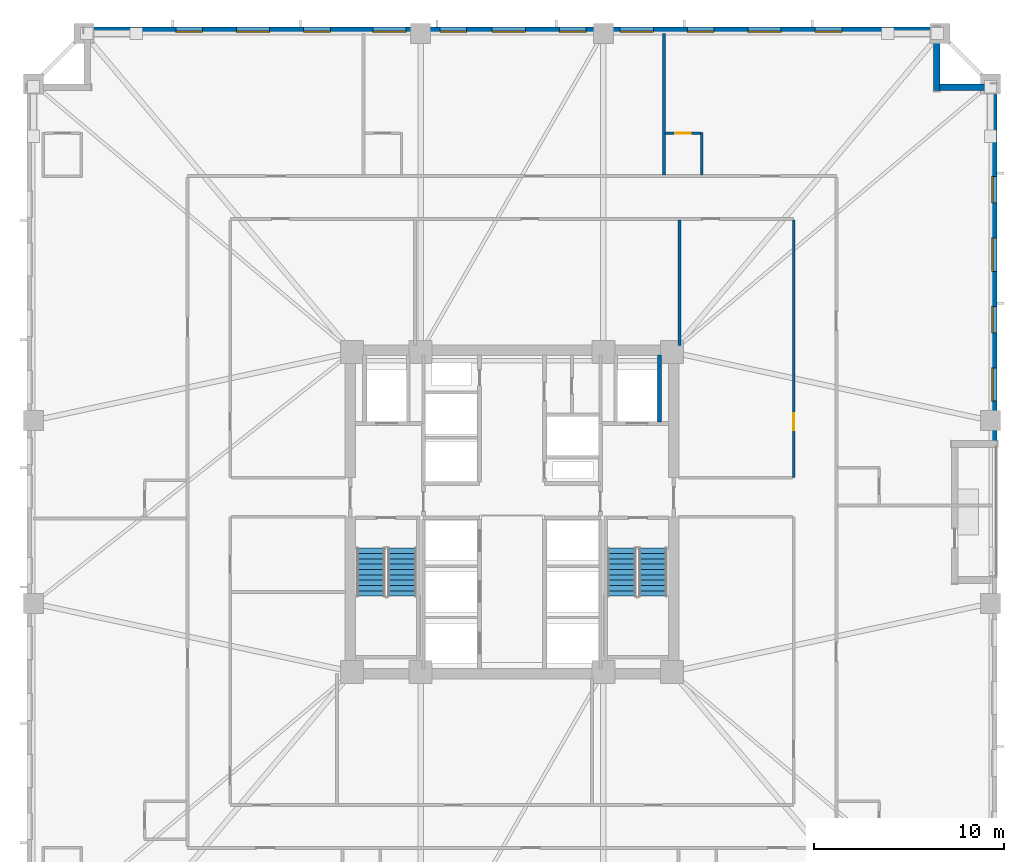
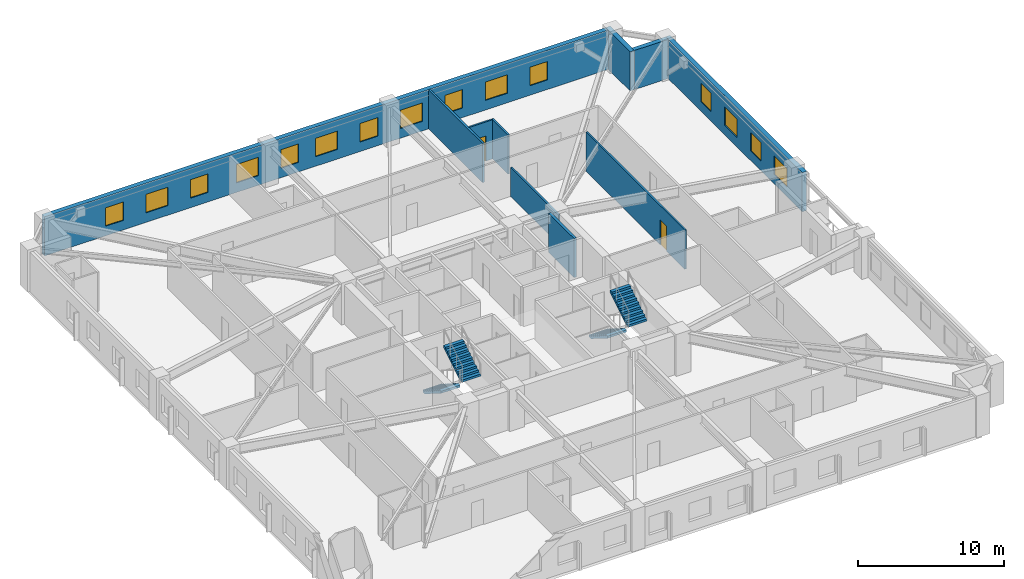
# One storey, part 6 of 11: 15 windows, 10 walls, 4 stair flights, 2 doors, 17 openings, 2 elements without a shape of their own.
"""IFC4 building model written with IfcOpenShell, lengths in metres."""

from ifc_helpers import new_model, si_unit, direction, frame, frame_2d, origin, place, context, subcontext, project, spatial, polyline, rectangle, outline, extrude, material, layer, layer_set, type_object, element, fill, aggregate, save


model = new_model("IFC4")

# Units and contexts
model_context = context("Model", 3, precision=1e-05, world=origin(), true_north=direction((0.0, 1.0)))
body_context = subcontext(model_context, "Body", "Model", "MODEL_VIEW")
ifc_project = project(units=[si_unit("LENGTHUNIT", "METRE"), si_unit("AREAUNIT", "SQUARE_METRE"), si_unit("VOLUMEUNIT", "CUBIC_METRE"), si_unit("PLANEANGLEUNIT", "RADIAN"), si_unit("MASSUNIT", "GRAM", prefix="KILO")], contexts=[model_context])

# Site, building, storey
site_placement = place(None, origin())
site = spatial("IfcSite", under=ifc_project, at=site_placement, CompositionType="ELEMENT")
building_placement = place(site_placement, origin())
building = spatial("IfcBuilding", under=site, at=building_placement, Name="Cairnveth Concourse Tower", CompositionType="ELEMENT")
storey_placement = place(building_placement, frame((0.0, 0.0, 69.0)))
storey = spatial("IfcBuildingStorey", under=building, at=storey_placement, Name="L18", CompositionType="ELEMENT", Elevation=69.0)

# Walls
ifc_material_1 = material(Name="Gypsum Plasterboard Partition", Category="gypsum")
ifc_layer_1 = layer(ifc_material_1, 0.159912109375)
ifc_layer_set_1 = layer_set([ifc_layer_1], Name="Gypsum Plasterboard Partition")
wall_type_1 = type_object("IfcWallType", Name="ACOUSTIC PARTY WALL 180", PredefinedType="PARTITIONING", material=ifc_layer_set_1)
wall_1_placement = place(storey_placement, frame((59.9775390625, 56.715087890625, 0.0), z_axis=(0.0, 0.0, 1.0), x_axis=(0.0, 1.0, 0.0)))
element("IfcWall", 1, at=wall_1_placement, inside=storey, type_object=wall_type_1, Name="Interior Wall IW-L18-074", PredefinedType="PARTITIONING", context=body_context, shape_type="SweptSolid", body=[
    extrude(rectangle(XDim=7.43994140625, YDim=0.159912109375, at=frame_2d((3.719970703125, 0.0))), origin(), (0.0, 0.0, 1.0), 3.280029296875),
])
ifc_material_2 = material(Name="Concrete N50 (50 MPa)", Category="concrete")
ifc_layer_2 = layer(ifc_material_2, 0.199951171875)
ifc_layer_set_2 = layer_set([ifc_layer_2], Name="Concrete N50 (50 MPa)")
wall_type_2 = type_object("IfcWallType", Name="FIRE SHAFT WALL 200", PredefinedType="SOLIDWALL", material=ifc_layer_set_2)
wall_2_placement = place(storey_placement, frame((59.75, 43.735107421875, 0.0), z_axis=(0.0, 0.0, 1.0), x_axis=(0.0, 1.0, 0.0)))
element("IfcWall", 2, at=wall_2_placement, inside=storey, type_object=wall_type_2, Name="Interior Wall IW-L18-024", PredefinedType="SOLIDWALL", context=body_context, shape_type="SweptSolid", body=[
    extrude(rectangle(XDim=3.5048828125, YDim=0.199951171875, at=frame_2d((1.75244140625, 0.0))), origin(), (0.0, 0.0, 1.0), 3.280029296875),
])

# Wall, opening, door
ifc_layer_3 = layer(ifc_material_1, 0.139892578125)
ifc_layer_set_3 = layer_set([ifc_layer_3], Name="Gypsum Plasterboard Partition")
wall_type_3 = type_object("IfcWallType", Name="GYPSUM STUD PARTITION 140", PredefinedType="PARTITIONING", material=ifc_layer_set_3)
wall_3_placement = place(storey_placement, frame((66.800048828125, 40.800048828125, 0.0), z_axis=(0.0, 0.0, 1.0), x_axis=(0.0, 1.0, 0.0)))
wall_3 = element("IfcWall", 3, at=wall_3_placement, inside=storey, type_object=wall_type_3, Name="Interior Wall IW-L18-049", PredefinedType="PARTITIONING", context=body_context, shape_type="SweptSolid", body=[
    extrude(rectangle(XDim=13.544921875, YDim=0.139892578125, at=frame_2d((6.7724609375, 0.0))), origin(), (0.0, 0.0, 1.0), 3.280029296875),
])
opening_1_placement = place(wall_3_placement, frame((2.5, 0.0, 0.0)))
opening_1 = element("IfcOpeningElement", 4, at=opening_1_placement, cuts=wall_3, Name="Opening ID18", PredefinedType="OPENING", context=body_context, shape_type="SweptSolid", body=[
    extrude(rectangle(XDim=0.8798828125, YDim=2.10009765625, at=frame_2d((0.43994140625, 1.050048828125))), frame((0.0, 0.079833984375, 0.0), z_axis=(0.0, -1.0, 0.0), x_axis=(1.0, 0.0, 0.0)), (0.0, 0.0, 1.0), 0.159912109375),
])
ifc_material_3 = material(Name="Solid Core Hardwood Timber Leaf", Category="wood")
door_type_1 = type_object("IfcDoorType", Name="INTERIOR SINGLE DOOR 880X2100", OperationType="NOTDEFINED", PredefinedType="DOOR", material=ifc_material_3)
door_1_placement = place(opening_1_placement, origin())
door_1 = element("IfcDoor", 5, at=door_1_placement, inside=storey, type_object=door_type_1, Name="Interior Door DR-L18-024", OperationType="SINGLE_SWING_RIGHT", OverallHeight=2.10009765625, OverallWidth=0.8798828125, PredefinedType="DOOR", context=body_context, shape_type="SweptSolid", body=[
    extrude(rectangle(XDim=0.8798828125, YDim=2.10009765625, at=frame_2d((0.43994140625, 1.050048828125))), frame((0.0, 0.02490234375, 0.0), z_axis=(0.0, -1.0, 0.0), x_axis=(1.0, 0.0, 0.0)), (0.0, 0.0, 1.0), 0.050048828125),
])
fill(opening_1, door_1)

# Walls
wall_4_placement = place(storey_placement, frame((60.800048828125, 47.760009765625, 0.0), z_axis=(0.0, 0.0, 1.0), x_axis=(0.0, 1.0, 0.0)))
element("IfcWall", 6, at=wall_4_placement, inside=storey, type_object=wall_type_3, Name="Interior Wall IW-L18-055", PredefinedType="PARTITIONING", context=body_context, shape_type="SweptSolid", body=[
    extrude(rectangle(XDim=6.5849609375, YDim=0.139892578125, at=frame_2d((3.29248046875, 0.0))), origin(), (0.0, 0.0, 1.0), 2.43896484375),
])
ifc_layer_4 = layer(ifc_material_1, 0.1298828125)
ifc_layer_set_4 = layer_set([ifc_layer_4], Name="Gypsum Plasterboard Partition")
wall_type_4 = type_object("IfcWallType", Name="WET AREA PARTITION 140", PredefinedType="PLUMBINGWALL", material=ifc_layer_set_4)
wall_5_placement = place(storey_placement, frame((61.9775390625, 56.715087890625, 0.0), z_axis=(0.0, 0.0, 1.0), x_axis=(0.0, 1.0, 0.0)))
element("IfcWall", 7, at=wall_5_placement, inside=storey, type_object=wall_type_4, Name="Interior Wall IW-L18-075", PredefinedType="PLUMBINGWALL", context=body_context, shape_type="SweptSolid", body=[
    extrude(rectangle(XDim=2.23486328125, YDim=0.1298828125, at=frame_2d((1.117431640625, 0.0))), origin(), (0.0, 0.0, 1.0), 3.280029296875),
])

# Wall, opening, door
wall_6_placement = place(storey_placement, frame((60.04248046875, 58.89990234375, 0.0), z_axis=(0.0, 0.0, 1.0), x_axis=(1.0, 0.0, 0.0)))
wall_6 = element("IfcWall", 8, at=wall_6_placement, inside=storey, type_object=wall_type_4, Name="Interior Wall IW-L18-076", PredefinedType="PLUMBINGWALL", context=body_context, shape_type="SweptSolid", body=[
    extrude(rectangle(XDim=1.885009765625, YDim=0.1298828125, at=frame_2d((0.9423828125, 0.0))), origin(), (0.0, 0.0, 1.0), 3.280029296875),
])
opening_2_placement = place(wall_6_placement, frame((0.52490234375, 0.0, 0.0)))
opening_2 = element("IfcOpeningElement", 9, at=opening_2_placement, cuts=wall_6, Name="Opening ID22", PredefinedType="OPENING", context=body_context, shape_type="SweptSolid", body=[
    extrude(rectangle(XDim=0.820068359375, YDim=2.10009765625, at=frame_2d((0.41015625, 1.050048828125))), frame((0.0, 0.074951171875, 0.0), z_axis=(0.0, -1.0, 0.0), x_axis=(1.0, 0.0, 0.0)), (0.0, 0.0, 1.0), 0.14990234375),
])
door_type_2 = type_object("IfcDoorType", Name="INTERIOR WC DOOR 820X2100", OperationType="NOTDEFINED", PredefinedType="DOOR", material=ifc_material_3)
door_2_placement = place(opening_2_placement, origin())
door_2 = element("IfcDoor", 10, at=door_2_placement, inside=storey, type_object=door_type_2, Name="En-Suite Door L18-N3", OperationType="SINGLE_SWING_LEFT", OverallHeight=2.10009765625, OverallWidth=0.820068359375, PredefinedType="DOOR", context=body_context, shape_type="SweptSolid", body=[
    extrude(rectangle(XDim=0.820068359375, YDim=2.10009765625, at=frame_2d((0.41015625, 1.050048828125))), frame((0.0, 0.02490234375, 0.0), z_axis=(0.0, -1.0, 0.0), x_axis=(1.0, 0.0, 0.0)), (0.0, 0.0, 1.0), 0.050048828125),
])
fill(opening_2, door_2)

# Wall, openings, windows
ifc_material_4 = material(Name="Hawthorn Red-Ochre Fired Clay Brick Masonry", Category="masonry")
ifc_layer_5 = layer(ifc_material_4, 0.360107421875)
ifc_layer_set_5 = layer_set([ifc_layer_5], Name="Hawthorn Red-Ochre Fired Clay Brick Masonry")
wall_type_5 = type_object("IfcWallType", Name="ZONE 1 BRICK PIER SPANDREL WALL 360", PredefinedType="SOLIDWALL", material=ifc_layer_set_5)
wall_7_placement = place(storey_placement, frame((29.5, 64.320068359375, 0.0), z_axis=(0.0, 0.0, 1.0), x_axis=(1.0, 0.0, 0.0)))
wall_7 = element("IfcWall", 11, at=wall_7_placement, inside=storey, type_object=wall_type_5, Name="Exterior Wall EW-L18-S09", PredefinedType="SOLIDWALL", context=body_context, shape_type="SweptSolid", body=[
    extrude(rectangle(XDim=44.662109375, YDim=0.360107421875, at=frame_2d((22.3310546875, 0.0))), origin(), (0.0, 0.0, 1.0), 3.280029296875),
])
opening_3_placement = place(wall_7_placement, frame((4.830078125, 0.0, 0.800048828125)))
opening_3 = element("IfcOpeningElement", 12, at=opening_3_placement, cuts=wall_7, Name="Opening W05", PredefinedType="OPENING", context=body_context, shape_type="SweptSolid", body=[
    extrude(rectangle(XDim=1.39990234375, YDim=1.5439453125, at=frame_2d((0.699951171875, 0.77197265625))), frame((0.0, 0.18994140625, 0.0), z_axis=(0.0, -1.0, 0.0), x_axis=(1.0, 0.0, 0.0)), (0.0, 0.0, 1.0), 0.380126953125),
])
opening_4_placement = place(wall_7_placement, frame((8.015380859375, 0.0, 0.800048828125)))
opening_4 = element("IfcOpeningElement", 13, at=opening_4_placement, cuts=wall_7, Name="Opening W06", PredefinedType="OPENING", context=body_context, shape_type="SweptSolid", body=[
    extrude(rectangle(XDim=1.75, YDim=1.5439453125, at=frame_2d((0.875, 0.77197265625))), frame((0.0, 0.18994140625, 0.0), z_axis=(0.0, -1.0, 0.0), x_axis=(1.0, 0.0, 0.0)), (0.0, 0.0, 1.0), 0.380126953125),
])
opening_5_placement = place(wall_7_placement, frame((11.550537109375, 0.0, 0.800048828125)))
opening_5 = element("IfcOpeningElement", 14, at=opening_5_placement, cuts=wall_7, Name="Opening W05", PredefinedType="OPENING", context=body_context, shape_type="SweptSolid", body=[
    extrude(rectangle(XDim=1.39990234375, YDim=1.5439453125, at=frame_2d((0.699951171875, 0.77197265625))), frame((0.0, 0.18994140625, 0.0), z_axis=(0.0, -1.0, 0.0), x_axis=(1.0, 0.0, 0.0)), (0.0, 0.0, 1.0), 0.380126953125),
])
opening_6_placement = place(wall_7_placement, frame((15.185546875, 0.0, 0.800048828125)))
opening_6 = element("IfcOpeningElement", 15, at=opening_6_placement, cuts=wall_7, Name="Opening W06", PredefinedType="OPENING", context=body_context, shape_type="SweptSolid", body=[
    extrude(rectangle(XDim=1.75, YDim=1.5439453125, at=frame_2d((0.875, 0.77197265625))), frame((0.0, 0.18994140625, 0.0), z_axis=(0.0, -1.0, 0.0), x_axis=(1.0, 0.0, 0.0)), (0.0, 0.0, 1.0), 0.380126953125),
])
opening_7_placement = place(wall_7_placement, frame((18.720703125, 0.0, 0.800048828125)))
opening_7 = element("IfcOpeningElement", 16, at=opening_7_placement, cuts=wall_7, Name="Opening W05", PredefinedType="OPENING", context=body_context, shape_type="SweptSolid", body=[
    extrude(rectangle(XDim=1.39990234375, YDim=1.5439453125, at=frame_2d((0.699951171875, 0.77197265625))), frame((0.0, 0.18994140625, 0.0), z_axis=(0.0, -1.0, 0.0), x_axis=(1.0, 0.0, 0.0)), (0.0, 0.0, 1.0), 0.380126953125),
])
opening_8_placement = place(wall_7_placement, frame((21.4560546875, 0.0, 0.800048828125)))
opening_8 = element("IfcOpeningElement", 17, at=opening_8_placement, cuts=wall_7, Name="Opening W06", PredefinedType="OPENING", context=body_context, shape_type="SweptSolid", body=[
    extrude(rectangle(XDim=1.75, YDim=1.5439453125, at=frame_2d((0.875, 0.77197265625))), frame((0.0, 0.18994140625, 0.0), z_axis=(0.0, -1.0, 0.0), x_axis=(1.0, 0.0, 0.0)), (0.0, 0.0, 1.0), 0.380126953125),
])
opening_9_placement = place(wall_7_placement, frame((24.9912109375, 0.0, 0.800048828125)))
opening_9 = element("IfcOpeningElement", 18, at=opening_9_placement, cuts=wall_7, Name="Opening W05", PredefinedType="OPENING", context=body_context, shape_type="SweptSolid", body=[
    extrude(rectangle(XDim=1.39990234375, YDim=1.5439453125, at=frame_2d((0.699951171875, 0.77197265625))), frame((0.0, 0.18994140625, 0.0), z_axis=(0.0, -1.0, 0.0), x_axis=(1.0, 0.0, 0.0)), (0.0, 0.0, 1.0), 0.380126953125),
])
opening_10_placement = place(wall_7_placement, frame((28.176513671875, 0.0, 0.800048828125)))
opening_10 = element("IfcOpeningElement", 19, at=opening_10_placement, cuts=wall_7, Name="Opening W06", PredefinedType="OPENING", context=body_context, shape_type="SweptSolid", body=[
    extrude(rectangle(XDim=1.75, YDim=1.5439453125, at=frame_2d((0.875, 0.77197265625))), frame((0.0, 0.18994140625, 0.0), z_axis=(0.0, -1.0, 0.0), x_axis=(1.0, 0.0, 0.0)), (0.0, 0.0, 1.0), 0.380126953125),
])
opening_11_placement = place(wall_7_placement, frame((31.71142578125, 0.0, 0.800048828125)))
opening_11 = element("IfcOpeningElement", 20, at=opening_11_placement, cuts=wall_7, Name="Opening W05", PredefinedType="OPENING", context=body_context, shape_type="SweptSolid", body=[
    extrude(rectangle(XDim=1.39990234375, YDim=1.5439453125, at=frame_2d((0.699951171875, 0.77197265625))), frame((0.0, 0.18994140625, 0.0), z_axis=(0.0, -1.0, 0.0), x_axis=(1.0, 0.0, 0.0)), (0.0, 0.0, 1.0), 0.380126953125),
])
opening_12_placement = place(wall_7_placement, frame((34.896728515625, 0.0, 0.800048828125)))
opening_12 = element("IfcOpeningElement", 21, at=opening_12_placement, cuts=wall_7, Name="Opening W06", PredefinedType="OPENING", context=body_context, shape_type="SweptSolid", body=[
    extrude(rectangle(XDim=1.75, YDim=1.5439453125, at=frame_2d((0.875, 0.77197265625))), frame((0.0, 0.18994140625, 0.0), z_axis=(0.0, -1.0, 0.0), x_axis=(1.0, 0.0, 0.0)), (0.0, 0.0, 1.0), 0.380126953125),
])
opening_13_placement = place(wall_7_placement, frame((38.431884765625, 0.0, 0.800048828125)))
opening_13 = element("IfcOpeningElement", 22, at=opening_13_placement, cuts=wall_7, Name="Opening W05", PredefinedType="OPENING", context=body_context, shape_type="SweptSolid", body=[
    extrude(rectangle(XDim=1.39990234375, YDim=1.5439453125, at=frame_2d((0.699951171875, 0.77197265625))), frame((0.0, 0.18994140625, 0.0), z_axis=(0.0, -1.0, 0.0), x_axis=(1.0, 0.0, 0.0)), (0.0, 0.0, 1.0), 0.380126953125),
])
ifc_material_5 = material(Name="Double Glazed Low-E Clear Glass", Category="glass")
window_type_1 = type_object("IfcWindowType", Name="DEEP-SET HOTEL CASEMENT WINDOW 1400X1750", PartitioningType="DOUBLE_PANEL_VERTICAL", PredefinedType="WINDOW", material=ifc_material_5)
window_1_placement = place(opening_3_placement, origin())
window_1 = element("IfcWindow", 23, at=window_1_placement, inside=storey, type_object=window_type_1, Name="Gothic Lancet Window L18-9-1", OverallHeight=1.5439453125, OverallWidth=1.39990234375, PartitioningType="SINGLE_PANEL", PredefinedType="WINDOW", context=body_context, shape_type="SweptSolid", body=[
    extrude(rectangle(XDim=1.39990234375, YDim=1.5439453125, at=frame_2d((0.699951171875, 0.77197265625))), frame((0.0, -0.050048828125, 0.0), z_axis=(0.0, -1.0, 0.0), x_axis=(1.0, 0.0, 0.0)), (0.0, 0.0, 1.0), 0.06005859375),
])
fill(opening_3, window_1)
window_2_placement = place(opening_5_placement, origin())
window_2 = element("IfcWindow", 24, at=window_2_placement, inside=storey, type_object=window_type_1, Name="Gothic Lancet Window L18-9-3", OverallHeight=1.5439453125, OverallWidth=1.39990234375, PartitioningType="SINGLE_PANEL", PredefinedType="WINDOW", context=body_context, shape_type="SweptSolid", body=[
    extrude(rectangle(XDim=1.39990234375, YDim=1.5439453125, at=frame_2d((0.699951171875, 0.77197265625))), frame((0.0, -0.050048828125, 0.0), z_axis=(0.0, -1.0, 0.0), x_axis=(1.0, 0.0, 0.0)), (0.0, 0.0, 1.0), 0.06005859375),
])
fill(opening_5, window_2)
window_3_placement = place(opening_7_placement, origin())
window_3 = element("IfcWindow", 25, at=window_3_placement, inside=storey, type_object=window_type_1, Name="Gothic Lancet Window L18-9-5", OverallHeight=1.5439453125, OverallWidth=1.39990234375, PartitioningType="SINGLE_PANEL", PredefinedType="WINDOW", context=body_context, shape_type="SweptSolid", body=[
    extrude(rectangle(XDim=1.39990234375, YDim=1.5439453125, at=frame_2d((0.699951171875, 0.77197265625))), frame((0.0, -0.050048828125, 0.0), z_axis=(0.0, -1.0, 0.0), x_axis=(1.0, 0.0, 0.0)), (0.0, 0.0, 1.0), 0.06005859375),
])
fill(opening_7, window_3)
window_4_placement = place(opening_9_placement, origin())
window_4 = element("IfcWindow", 26, at=window_4_placement, inside=storey, type_object=window_type_1, Name="Gothic Lancet Window L18-9-7", OverallHeight=1.5439453125, OverallWidth=1.39990234375, PartitioningType="SINGLE_PANEL", PredefinedType="WINDOW", context=body_context, shape_type="SweptSolid", body=[
    extrude(rectangle(XDim=1.39990234375, YDim=1.5439453125, at=frame_2d((0.699951171875, 0.77197265625))), frame((0.0, -0.050048828125, 0.0), z_axis=(0.0, -1.0, 0.0), x_axis=(1.0, 0.0, 0.0)), (0.0, 0.0, 1.0), 0.06005859375),
])
fill(opening_9, window_4)
window_5_placement = place(opening_11_placement, origin())
window_5 = element("IfcWindow", 27, at=window_5_placement, inside=storey, type_object=window_type_1, Name="Gothic Lancet Window L18-9-9", OverallHeight=1.5439453125, OverallWidth=1.39990234375, PartitioningType="SINGLE_PANEL", PredefinedType="WINDOW", context=body_context, shape_type="SweptSolid", body=[
    extrude(rectangle(XDim=1.39990234375, YDim=1.5439453125, at=frame_2d((0.699951171875, 0.77197265625))), frame((0.0, -0.050048828125, 0.0), z_axis=(0.0, -1.0, 0.0), x_axis=(1.0, 0.0, 0.0)), (0.0, 0.0, 1.0), 0.06005859375),
])
fill(opening_11, window_5)
window_6_placement = place(opening_13_placement, origin())
window_6 = element("IfcWindow", 28, at=window_6_placement, inside=storey, type_object=window_type_1, Name="Gothic Lancet Window L18-9-11", OverallHeight=1.5439453125, OverallWidth=1.39990234375, PartitioningType="SINGLE_PANEL", PredefinedType="WINDOW", context=body_context, shape_type="SweptSolid", body=[
    extrude(rectangle(XDim=1.39990234375, YDim=1.5439453125, at=frame_2d((0.699951171875, 0.77197265625))), frame((0.0, -0.050048828125, 0.0), z_axis=(0.0, -1.0, 0.0), x_axis=(1.0, 0.0, 0.0)), (0.0, 0.0, 1.0), 0.06005859375),
])
fill(opening_13, window_6)
window_type_2 = type_object("IfcWindowType", Name="DEEP-SET HOTEL SUITE WINDOW 1750X1800", PartitioningType="DOUBLE_PANEL_VERTICAL", PredefinedType="WINDOW", material=ifc_material_5)
window_7_placement = place(opening_4_placement, origin())
window_7 = element("IfcWindow", 29, at=window_7_placement, inside=storey, type_object=window_type_2, Name="Gothic Lancet Window L18-9-2", OverallHeight=1.5439453125, OverallWidth=1.75, PartitioningType="SINGLE_PANEL", PredefinedType="WINDOW", context=body_context, shape_type="SweptSolid", body=[
    extrude(rectangle(XDim=1.75, YDim=1.5439453125, at=frame_2d((0.875, 0.77197265625))), frame((0.0, -0.050048828125, 0.0), z_axis=(0.0, -1.0, 0.0), x_axis=(1.0, 0.0, 0.0)), (0.0, 0.0, 1.0), 0.06005859375),
])
fill(opening_4, window_7)
window_8_placement = place(opening_6_placement, origin())
window_8 = element("IfcWindow", 30, at=window_8_placement, inside=storey, type_object=window_type_2, Name="Gothic Lancet Window L18-9-4", OverallHeight=1.5439453125, OverallWidth=1.75, PartitioningType="SINGLE_PANEL", PredefinedType="WINDOW", context=body_context, shape_type="SweptSolid", body=[
    extrude(rectangle(XDim=1.75, YDim=1.5439453125, at=frame_2d((0.875, 0.77197265625))), frame((0.0, -0.050048828125, 0.0), z_axis=(0.0, -1.0, 0.0), x_axis=(1.0, 0.0, 0.0)), (0.0, 0.0, 1.0), 0.06005859375),
])
fill(opening_6, window_8)
window_9_placement = place(opening_8_placement, origin())
window_9 = element("IfcWindow", 31, at=window_9_placement, inside=storey, type_object=window_type_2, Name="Gothic Lancet Window L18-9-6", OverallHeight=1.5439453125, OverallWidth=1.75, PartitioningType="SINGLE_PANEL", PredefinedType="WINDOW", context=body_context, shape_type="SweptSolid", body=[
    extrude(rectangle(XDim=1.75, YDim=1.5439453125, at=frame_2d((0.875, 0.77197265625))), frame((0.0, -0.050048828125, 0.0), z_axis=(0.0, -1.0, 0.0), x_axis=(1.0, 0.0, 0.0)), (0.0, 0.0, 1.0), 0.06005859375),
])
fill(opening_8, window_9)
window_10_placement = place(opening_10_placement, origin())
window_10 = element("IfcWindow", 32, at=window_10_placement, inside=storey, type_object=window_type_2, Name="Gothic Lancet Window L18-9-8", OverallHeight=1.5439453125, OverallWidth=1.75, PartitioningType="SINGLE_PANEL", PredefinedType="WINDOW", context=body_context, shape_type="SweptSolid", body=[
    extrude(rectangle(XDim=1.75, YDim=1.5439453125, at=frame_2d((0.875, 0.77197265625))), frame((0.0, -0.050048828125, 0.0), z_axis=(0.0, -1.0, 0.0), x_axis=(1.0, 0.0, 0.0)), (0.0, 0.0, 1.0), 0.06005859375),
])
fill(opening_10, window_10)
window_11_placement = place(opening_12_placement, origin())
window_11 = element("IfcWindow", 33, at=window_11_placement, inside=storey, type_object=window_type_2, Name="Gothic Lancet Window L18-9-10", OverallHeight=1.5439453125, OverallWidth=1.75, PartitioningType="SINGLE_PANEL", PredefinedType="WINDOW", context=body_context, shape_type="SweptSolid", body=[
    extrude(rectangle(XDim=1.75, YDim=1.5439453125, at=frame_2d((0.875, 0.77197265625))), frame((0.0, -0.050048828125, 0.0), z_axis=(0.0, -1.0, 0.0), x_axis=(1.0, 0.0, 0.0)), (0.0, 0.0, 1.0), 0.06005859375),
])
fill(opening_12, window_11)

# Walls
wall_8_placement = place(storey_placement, frame((74.320068359375, 64.5, 0.0), z_axis=(0.0, 0.0, 1.0), x_axis=(0.0, -1.0, 0.0)))
element("IfcWall", 34, at=wall_8_placement, inside=storey, type_object=wall_type_5, Name="Exterior Wall EW-L18-S10", PredefinedType="SOLIDWALL", context=body_context, shape_type="SweptSolid", body=[
    extrude(rectangle(XDim=3.360107421875, YDim=0.360107421875, at=frame_2d((1.68017578125, 0.0))), origin(), (0.0, 0.0, 1.0), 3.280029296875),
])
wall_9_placement = place(storey_placement, frame((74.47802734375, 61.320068359375, 0.0), z_axis=(0.0, 0.0, 1.0), x_axis=(1.0, 0.0, 0.0)))
element("IfcWall", 35, at=wall_9_placement, inside=storey, type_object=wall_type_5, Name="Exterior Wall EW-L18-S11", PredefinedType="SOLIDWALL", context=body_context, shape_type="SweptSolid", body=[
    extrude(rectangle(XDim=2.68408203125, YDim=0.360107421875, at=frame_2d((1.342041015625, 0.0))), origin(), (0.0, 0.0, 1.0), 3.280029296875),
])

# Wall, openings, windows
wall_10_placement = place(storey_placement, frame((77.320068359375, 61.5, 0.0), z_axis=(0.0, 0.0, 1.0), x_axis=(0.0, -1.0, 0.0)))
wall_10 = element("IfcWall", 36, at=wall_10_placement, inside=storey, type_object=wall_type_5, Name="Exterior Wall EW-L18-S12", PredefinedType="SOLIDWALL", context=body_context, shape_type="SweptSolid", body=[
    extrude(rectangle(XDim=18.761962890625, YDim=0.360107421875, at=frame_2d((9.380859375, 0.0))), origin(), (0.0, 0.0, 1.0), 3.280029296875),
])
opening_14_placement = place(wall_10_placement, frame((4.85791015625, 0.0, 0.800048828125)))
opening_14 = element("IfcOpeningElement", 37, at=opening_14_placement, cuts=wall_10, Name="Opening W05", PredefinedType="OPENING", context=body_context, shape_type="SweptSolid", body=[
    extrude(rectangle(XDim=1.39990234375, YDim=1.5439453125, at=frame_2d((0.699951171875, 0.77197265625))), frame((0.0, 0.18994140625, 0.0), z_axis=(0.0, -1.0, 0.0), x_axis=(1.0, 0.0, 0.0)), (0.0, 0.0, 1.0), 0.380126953125),
])
opening_15_placement = place(wall_10_placement, frame((8.098388671875, 0.0, 0.800048828125)))
opening_15 = element("IfcOpeningElement", 38, at=opening_15_placement, cuts=wall_10, Name="Opening W06", PredefinedType="OPENING", context=body_context, shape_type="SweptSolid", body=[
    extrude(rectangle(XDim=1.75, YDim=1.5439453125, at=frame_2d((0.875, 0.77197265625))), frame((0.0, 0.18994140625, 0.0), z_axis=(0.0, -1.0, 0.0), x_axis=(1.0, 0.0, 0.0)), (0.0, 0.0, 1.0), 0.380126953125),
])
opening_16_placement = place(wall_10_placement, frame((11.688720703125, 0.0, 0.800048828125)))
opening_16 = element("IfcOpeningElement", 39, at=opening_16_placement, cuts=wall_10, Name="Opening W05", PredefinedType="OPENING", context=body_context, shape_type="SweptSolid", body=[
    extrude(rectangle(XDim=1.39990234375, YDim=1.5439453125, at=frame_2d((0.699951171875, 0.77197265625))), frame((0.0, 0.18994140625, 0.0), z_axis=(0.0, -1.0, 0.0), x_axis=(1.0, 0.0, 0.0)), (0.0, 0.0, 1.0), 0.380126953125),
])
opening_17_placement = place(wall_10_placement, frame((14.92919921875, 0.0, 0.800048828125)))
opening_17 = element("IfcOpeningElement", 40, at=opening_17_placement, cuts=wall_10, Name="Opening W06", PredefinedType="OPENING", context=body_context, shape_type="SweptSolid", body=[
    extrude(rectangle(XDim=1.75, YDim=1.5439453125, at=frame_2d((0.875, 0.77197265625))), frame((0.0, 0.18994140625, 0.0), z_axis=(0.0, -1.0, 0.0), x_axis=(1.0, 0.0, 0.0)), (0.0, 0.0, 1.0), 0.380126953125),
])
window_12_placement = place(opening_14_placement, origin())
window_12 = element("IfcWindow", 41, at=window_12_placement, inside=storey, type_object=window_type_1, Name="Gothic Lancet Window L18-12-1", OverallHeight=1.5439453125, OverallWidth=1.39990234375, PartitioningType="SINGLE_PANEL", PredefinedType="WINDOW", context=body_context, shape_type="SweptSolid", body=[
    extrude(rectangle(XDim=1.39990234375, YDim=1.5439453125, at=frame_2d((0.699951171875, 0.77197265625))), frame((0.0, -0.050048828125, 0.0), z_axis=(0.0, -1.0, 0.0), x_axis=(1.0, 0.0, 0.0)), (0.0, 0.0, 1.0), 0.06005859375),
])
fill(opening_14, window_12)
window_13_placement = place(opening_16_placement, origin())
window_13 = element("IfcWindow", 42, at=window_13_placement, inside=storey, type_object=window_type_1, Name="Gothic Lancet Window L18-12-3", OverallHeight=1.5439453125, OverallWidth=1.39990234375, PartitioningType="SINGLE_PANEL", PredefinedType="WINDOW", context=body_context, shape_type="SweptSolid", body=[
    extrude(rectangle(XDim=1.39990234375, YDim=1.5439453125, at=frame_2d((0.699951171875, 0.77197265625))), frame((0.0, -0.050048828125, 0.0), z_axis=(0.0, -1.0, 0.0), x_axis=(1.0, 0.0, 0.0)), (0.0, 0.0, 1.0), 0.06005859375),
])
fill(opening_16, window_13)
window_14_placement = place(opening_15_placement, origin())
window_14 = element("IfcWindow", 43, at=window_14_placement, inside=storey, type_object=window_type_2, Name="Gothic Lancet Window L18-12-2", OverallHeight=1.5439453125, OverallWidth=1.75, PartitioningType="SINGLE_PANEL", PredefinedType="WINDOW", context=body_context, shape_type="SweptSolid", body=[
    extrude(rectangle(XDim=1.75, YDim=1.5439453125, at=frame_2d((0.875, 0.77197265625))), frame((0.0, -0.050048828125, 0.0), z_axis=(0.0, -1.0, 0.0), x_axis=(1.0, 0.0, 0.0)), (0.0, 0.0, 1.0), 0.06005859375),
])
fill(opening_15, window_14)
window_15_placement = place(opening_17_placement, origin())
window_15 = element("IfcWindow", 44, at=window_15_placement, inside=storey, type_object=window_type_2, Name="Gothic Lancet Window L18-12-4", OverallHeight=1.5439453125, OverallWidth=1.75, PartitioningType="SINGLE_PANEL", PredefinedType="WINDOW", context=body_context, shape_type="SweptSolid", body=[
    extrude(rectangle(XDim=1.75, YDim=1.5439453125, at=frame_2d((0.875, 0.77197265625))), frame((0.0, -0.050048828125, 0.0), z_axis=(0.0, -1.0, 0.0), x_axis=(1.0, 0.0, 0.0)), (0.0, 0.0, 1.0), 0.06005859375),
])
fill(opening_17, window_15)

# Stair, stair flights
ifc_material_6 = material(Name="Precast concrete N50 (50 MPa)", Category="concrete")
stair_type = type_object("IfcStairType", Name="CORE DOG-LEG FIRE STAIR 1500", PredefinedType="HALF_TURN_STAIR", material=ifc_material_6)
stair_1_placement = place(storey_placement, origin())
stair_1 = element("IfcStair", 45, at=stair_1_placement, inside=storey, type_object=stair_type, Name="L18 Fire-Isolated Stair ST-1", PredefinedType="HALF_TURN_STAIR")
stair_flight_type = type_object("IfcStairFlightType", Name="PRECAST CONCRETE STAIR FLIGHT 1500", PredefinedType="STRAIGHT", material=ifc_material_6)
stair_flight_1_placement = place(storey_placement, frame((44.590087890625, 37.10009765625, 0.0), z_axis=(0.0, 0.0, 1.0), x_axis=(0.0, -1.0, 0.0)))
stair_flight_1 = element("IfcStairFlight", 46, at=stair_flight_1_placement, type_object=stair_flight_type, Name="ST-1 flight 1", NumberOfRisers=10, NumberOfTreads=9, PredefinedType="STRAIGHT", RiserHeight=0.175, TreadLength=0.28, context=body_context, shape_type="SweptSolid", body=[
    extrude(outline(polyline([(0.0, 0.0), (0.0, 0.175048828125), (0.280029296875, 0.175048828125), (0.280029296875, 0.35009765625), (0.56005859375, 0.35009765625), (0.56005859375, 0.52490234375), (0.840087890625, 0.52490234375), (0.840087890625, 0.699951171875), (1.1201171875, 0.699951171875), (1.1201171875, 0.875), (1.39990234375, 0.875), (1.39990234375, 1.050048828125), (1.679931640625, 1.050048828125), (1.679931640625, 1.22509765625), (1.9599609375, 1.22509765625), (1.9599609375, 1.39990234375), (2.239990234375, 1.39990234375), (2.239990234375, 1.574951171875), (2.52001953125, 1.574951171875), (2.52001953125, 1.75), (2.52001953125, 1.398193359375), (0.28271484375, 0.0), (0.0, 0.0)])), frame((0.0, 0.75, 0.0), z_axis=(0.0, -1.0, 0.0), x_axis=(1.0, 0.0, 0.0)), (0.0, 0.0, 1.0), 1.5),
])
stair_flight_2_placement = place(storey_placement, frame((46.22998046875, 34.580078125, 1.75), z_axis=(0.0, 0.0, 1.0), x_axis=(0.0, 1.0, 0.0)))
stair_flight_2 = element("IfcStairFlight", 47, at=stair_flight_2_placement, type_object=stair_flight_type, Name="ST-1 flight 2", NumberOfRisers=10, NumberOfTreads=9, PredefinedType="STRAIGHT", RiserHeight=0.175, TreadLength=0.28, context=body_context, shape_type="SweptSolid", body=[
    extrude(outline(polyline([(0.0, 0.0), (0.0, 0.175048828125), (0.280029296875, 0.175048828125), (0.280029296875, 0.35009765625), (0.56005859375, 0.35009765625), (0.56005859375, 0.52490234375), (0.840087890625, 0.52490234375), (0.840087890625, 0.699951171875), (1.1201171875, 0.699951171875), (1.1201171875, 0.875), (1.39990234375, 0.875), (1.39990234375, 1.050048828125), (1.679931640625, 1.050048828125), (1.679931640625, 1.22509765625), (1.9599609375, 1.22509765625), (1.9599609375, 1.39990234375), (2.239990234375, 1.39990234375), (2.239990234375, 1.574951171875), (2.52001953125, 1.574951171875), (2.52001953125, 1.75), (2.52001953125, 1.398193359375), (0.28271484375, 0.0), (0.0, 0.0)])), frame((0.0, 0.75, 0.0), z_axis=(0.0, -1.0, 0.0), x_axis=(1.0, 0.0, 0.0)), (0.0, 0.0, 1.0), 1.5),
])
aggregate(stair_1, [stair_flight_1, stair_flight_2])

stair_2_placement = place(storey_placement, origin())
stair_2 = element("IfcStair", 48, at=stair_2_placement, inside=storey, type_object=stair_type, Name="L18 Fire-Isolated Stair ST-2", PredefinedType="HALF_TURN_STAIR")
stair_flight_3_placement = place(storey_placement, frame((57.77001953125, 37.10009765625, 0.0), z_axis=(0.0, 0.0, 1.0), x_axis=(0.0, -1.0, 0.0)))
stair_flight_3 = element("IfcStairFlight", 49, at=stair_flight_3_placement, type_object=stair_flight_type, Name="ST-2 flight 1", NumberOfRisers=10, NumberOfTreads=9, PredefinedType="STRAIGHT", RiserHeight=0.175, TreadLength=0.28, context=body_context, shape_type="SweptSolid", body=[
    extrude(outline(polyline([(0.0, 0.0), (0.0, 0.175048828125), (0.280029296875, 0.175048828125), (0.280029296875, 0.35009765625), (0.56005859375, 0.35009765625), (0.56005859375, 0.52490234375), (0.840087890625, 0.52490234375), (0.840087890625, 0.699951171875), (1.1201171875, 0.699951171875), (1.1201171875, 0.875), (1.39990234375, 0.875), (1.39990234375, 1.050048828125), (1.679931640625, 1.050048828125), (1.679931640625, 1.22509765625), (1.9599609375, 1.22509765625), (1.9599609375, 1.39990234375), (2.239990234375, 1.39990234375), (2.239990234375, 1.574951171875), (2.52001953125, 1.574951171875), (2.52001953125, 1.75), (2.52001953125, 1.398193359375), (0.28271484375, 0.0), (0.0, 0.0)])), frame((0.0, 0.75, 0.0), z_axis=(0.0, -1.0, 0.0), x_axis=(1.0, 0.0, 0.0)), (0.0, 0.0, 1.0), 1.5),
])
stair_flight_4_placement = place(storey_placement, frame((59.409912109375, 34.580078125, 1.75), z_axis=(0.0, 0.0, 1.0), x_axis=(0.0, 1.0, 0.0)))
stair_flight_4 = element("IfcStairFlight", 50, at=stair_flight_4_placement, type_object=stair_flight_type, Name="ST-2 flight 2", NumberOfRisers=10, NumberOfTreads=9, PredefinedType="STRAIGHT", RiserHeight=0.175, TreadLength=0.28, context=body_context, shape_type="SweptSolid", body=[
    extrude(outline(polyline([(0.0, 0.0), (0.0, 0.175048828125), (0.280029296875, 0.175048828125), (0.280029296875, 0.35009765625), (0.56005859375, 0.35009765625), (0.56005859375, 0.52490234375), (0.840087890625, 0.52490234375), (0.840087890625, 0.699951171875), (1.1201171875, 0.699951171875), (1.1201171875, 0.875), (1.39990234375, 0.875), (1.39990234375, 1.050048828125), (1.679931640625, 1.050048828125), (1.679931640625, 1.22509765625), (1.9599609375, 1.22509765625), (1.9599609375, 1.39990234375), (2.239990234375, 1.39990234375), (2.239990234375, 1.574951171875), (2.52001953125, 1.574951171875), (2.52001953125, 1.75), (2.52001953125, 1.398193359375), (0.28271484375, 0.0), (0.0, 0.0)])), frame((0.0, 0.75, 0.0), z_axis=(0.0, -1.0, 0.0), x_axis=(1.0, 0.0, 0.0)), (0.0, 0.0, 1.0), 1.5),
])
aggregate(stair_2, [stair_flight_3, stair_flight_4])

save(model, "model.ifc")
